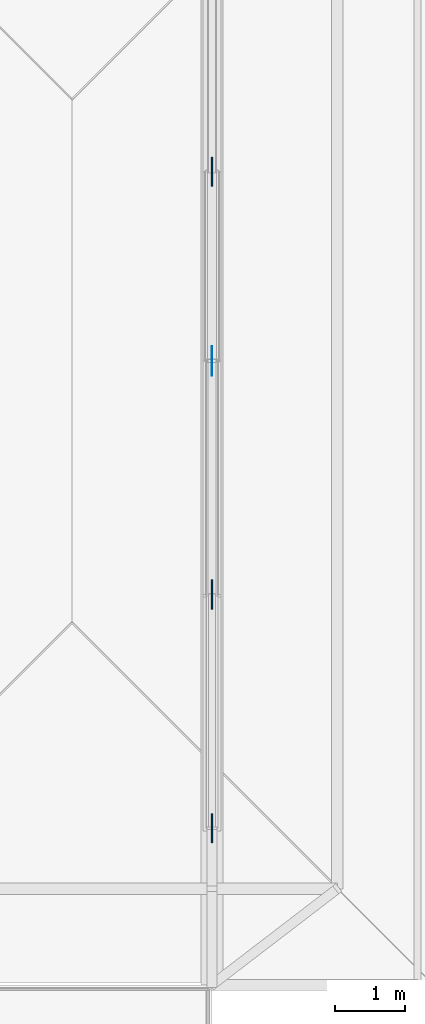
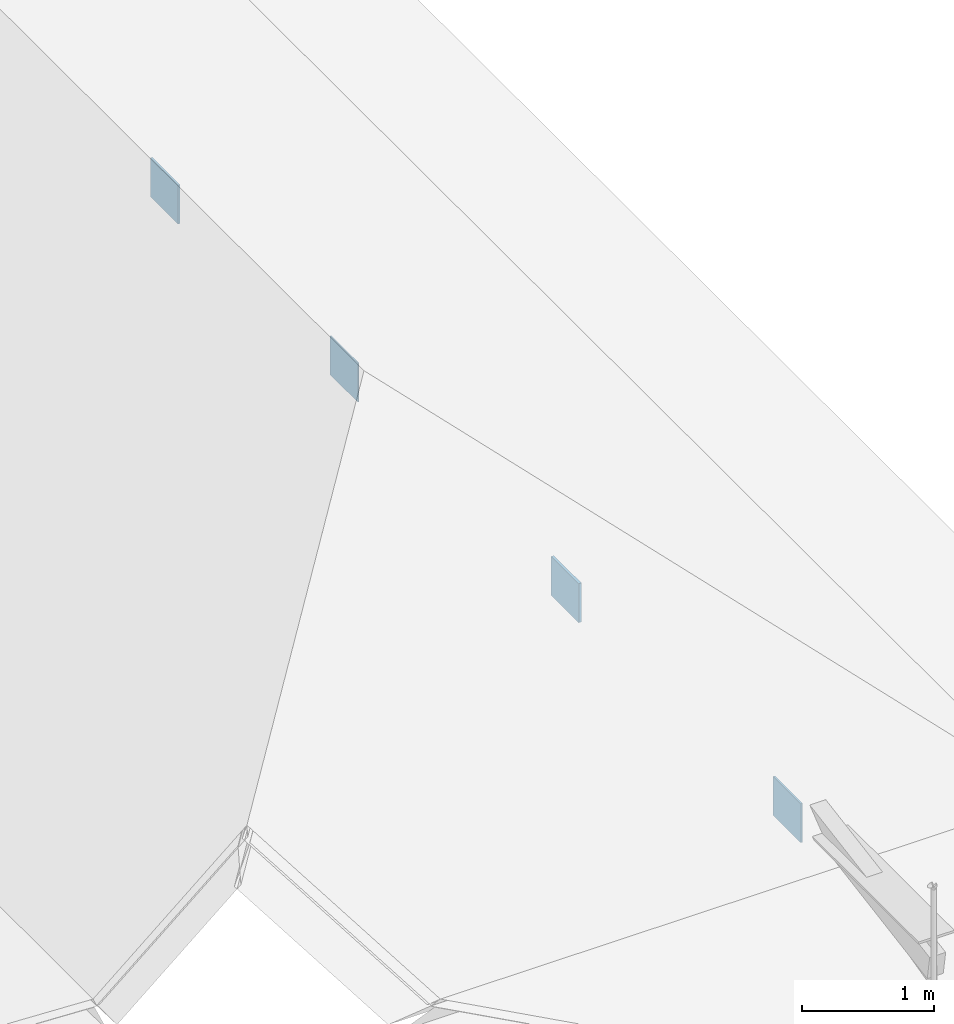
# One storey, part 69 of 100: 4 plates.
"""IFC4 building model written with IfcOpenShell, lengths in metres."""

from ifc_helpers import new_model, si_unit, direction, frame, origin, origin_2d, place, context, subcontext, project, spatial, rectangle, extrude, material, layer, layer_set, type_object, element, save


model = new_model("IFC4")

# Units and contexts
model_context = context("Model", 3, precision=1e-05, world=origin(), true_north=direction((0.0, 1.0)))
body_context = subcontext(model_context, "Body", "Model", "MODEL_VIEW")
ifc_project = project(units=[si_unit("LENGTHUNIT", "METRE"), si_unit("AREAUNIT", "SQUARE_METRE"), si_unit("VOLUMEUNIT", "CUBIC_METRE"), si_unit("PLANEANGLEUNIT", "RADIAN"), si_unit("MASSUNIT", "GRAM", prefix="KILO")], contexts=[model_context])

# Site, building, storey
site_placement = place(None, origin())
site = spatial("IfcSite", under=ifc_project, at=site_placement, CompositionType="ELEMENT")
building_placement = place(site_placement, origin())
building = spatial("IfcBuilding", under=site, at=building_placement, Name="Steenspoor Specialist Clinic", CompositionType="ELEMENT")
storey_placement = place(building_placement, frame((0.0, 0.0, 9.0)))
storey = spatial("IfcBuildingStorey", under=building, at=storey_placement, Name="L02", CompositionType="ELEMENT", Elevation=9.0)

# Plates
ifc_material = material(Name="Steel A572 Grade 50", Category="steel")
ifc_layer_1 = layer(ifc_material, 0.010009765625)
ifc_layer_set_1 = layer_set([ifc_layer_1], Name="Steel A572 Grade 50")
plate_type_1 = type_object("IfcPlateType", Name="PL-CAP-10", PredefinedType="SHEET", material=ifc_layer_set_1)
plate_1_placement = place(storey_placement, frame((161.199951171875, 88.514892578125, 0.19140625), z_axis=(0.0, 0.0, 1.0), x_axis=(1.0, 0.0, 0.0)))
element("IfcPlate", 1, at=plate_1_placement, inside=storey, type_object=plate_type_1, Name="Truss Gusset Plate GP-10", PredefinedType="SHEET", context=body_context, shape_type="SweptSolid", body=[
    extrude(rectangle(XDim=0.010009765625, YDim=0.419921875, at=origin_2d()), origin(), (0.0, 0.0, 1.0), 0.360107421875),
])
ifc_layer_2 = layer(ifc_material, 0.01611328125)
ifc_layer_set_2 = layer_set([ifc_layer_2], Name="Steel A572 Grade 50")
plate_type_2 = type_object("IfcPlateType", Name="PL-GUS-16", PredefinedType="SHEET", material=ifc_layer_set_2)
for number, where, z_axis, x_axis, name in (
    (2, (161.199951171875, 81.800048828125, 0.19140625), (0.0, 0.0, 1.0), (1.0, 0.0, 0.0), "Truss Gusset Plate GP-16"),
    (3, (161.199951171875, 91.232421875, 0.19140625), (0.0, 0.0, 1.0), (1.0, 0.0, 0.0), "Truss Gusset Plate GP-16"),
):
    element("IfcPlate", number, at=place(storey_placement, frame(where, z_axis=z_axis, x_axis=x_axis)), inside=storey, type_object=plate_type_2, Name=name, PredefinedType="SHEET", context=body_context, shape_type="SweptSolid", body=[
        extrude(rectangle(XDim=0.01611328125, YDim=0.419921875, at=origin_2d()), origin(), (0.0, 0.0, 1.0), 0.360107421875),
    ])
ifc_layer_3 = layer(ifc_material, 0.02392578125)
ifc_layer_set_3 = layer_set([ifc_layer_3], Name="Steel A572 Grade 50")
plate_type_3 = type_object("IfcPlateType", Name="PL-GUS-24", PredefinedType="SHEET", material=ifc_layer_set_3)
plate_2_placement = place(storey_placement, frame((161.199951171875, 85.157470703125, 0.19140625), z_axis=(0.0, 0.0, 1.0), x_axis=(1.0, 0.0, 0.0)))
element("IfcPlate", 4, at=plate_2_placement, inside=storey, type_object=plate_type_3, Name="Truss Gusset Plate GP-24", PredefinedType="SHEET", context=body_context, shape_type="SweptSolid", body=[
    extrude(rectangle(XDim=0.02392578125, YDim=0.419921875, at=origin_2d()), origin(), (0.0, 0.0, 1.0), 0.360107421875),
])

save(model, "model.ifc")
